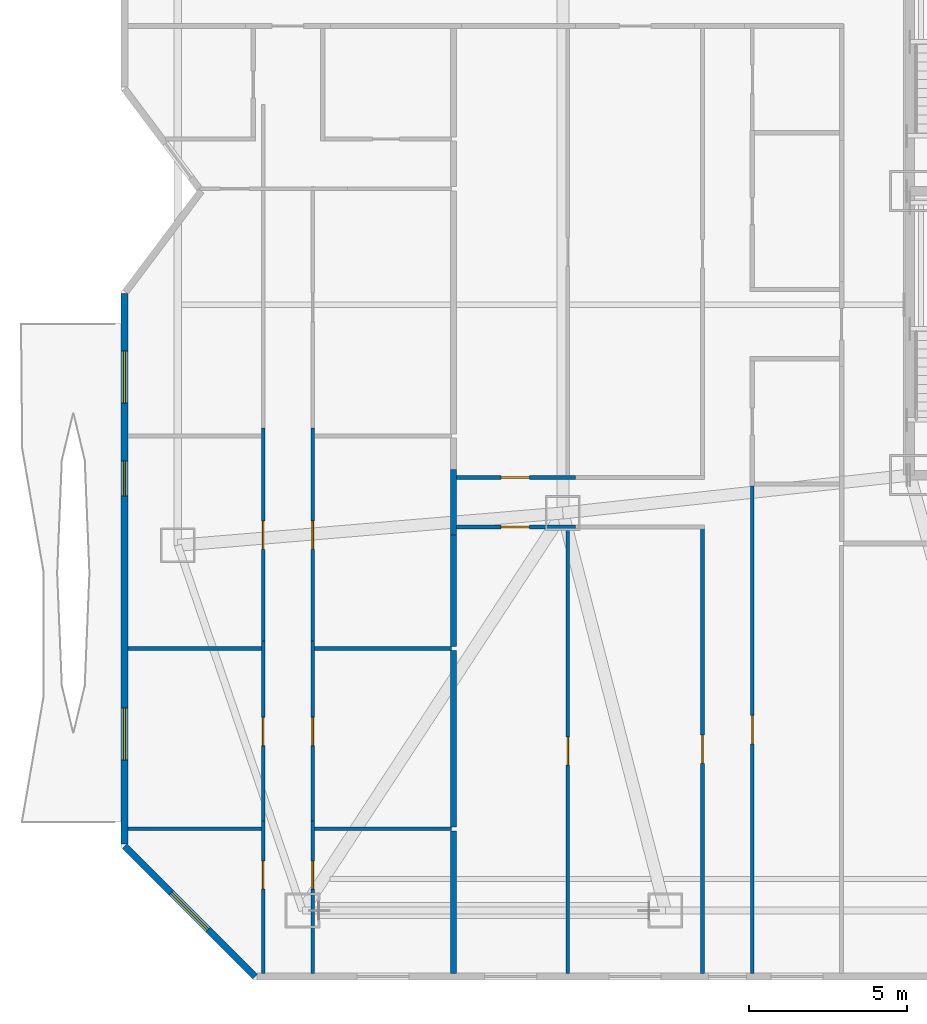
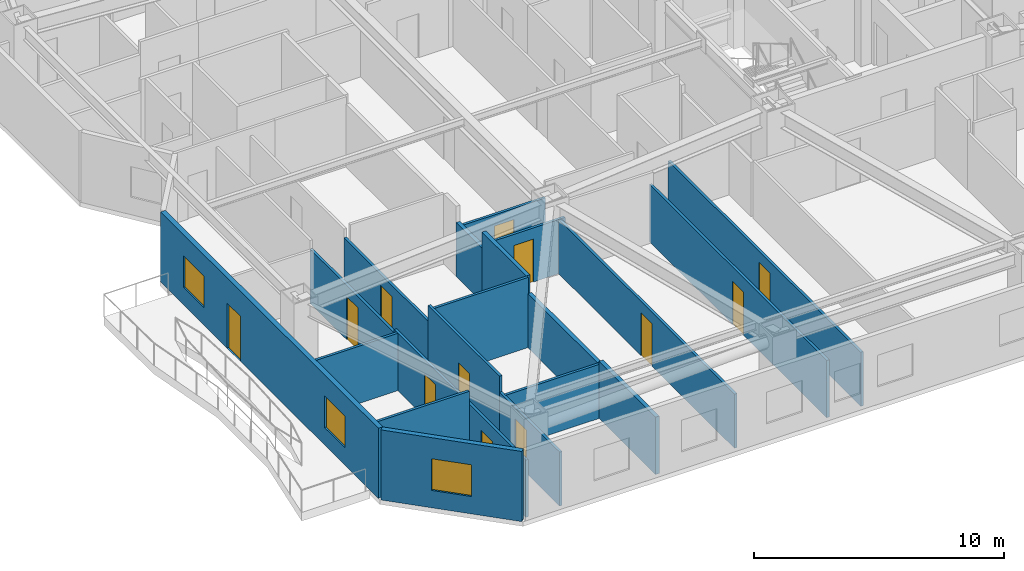
# One storey, part 7 of 16: 21 walls, 12 doors, 3 windows, 15 openings.
"""IFC4 building model written with IfcOpenShell, lengths in metres."""

from ifc_helpers import new_model, si_unit, direction, frame, frame_2d, origin, place, context, subcontext, project, spatial, rectangle, extrude, material, layer, layer_set, type_object, element, fill, save


model = new_model("IFC4")

# Units and contexts
model_context = context("Model", 3, precision=1e-05, world=origin(), true_north=direction((0.0, 1.0)))
body_context = subcontext(model_context, "Body", "Model", "MODEL_VIEW")
ifc_project = project(units=[si_unit("LENGTHUNIT", "METRE"), si_unit("AREAUNIT", "SQUARE_METRE"), si_unit("VOLUMEUNIT", "CUBIC_METRE"), si_unit("PLANEANGLEUNIT", "RADIAN"), si_unit("MASSUNIT", "GRAM", prefix="KILO")], contexts=[model_context])

# Site, building, storey
site_placement = place(None, origin())
site = spatial("IfcSite", under=ifc_project, at=site_placement, CompositionType="ELEMENT")
building_placement = place(site_placement, origin())
building = spatial("IfcBuilding", under=site, at=building_placement, Name="Khamvora Tower", CompositionType="ELEMENT")
storey_placement = place(building_placement, frame((0.0, 0.0, 66.14990234375)))
storey = spatial("IfcBuildingStorey", under=building, at=storey_placement, Name="L16", CompositionType="ELEMENT", Elevation=66.14990234375)

# Walls
ifc_material_1 = material(Name="Acoustic Double-Stud Fire Wall", Category="gypsum")
ifc_layer_1 = layer(ifc_material_1, 0.179931640625)
ifc_layer_set_1 = layer_set([ifc_layer_1], Name="Acoustic Double-Stud Fire Wall")
wall_type_1 = type_object("IfcWallType", Name="WAL-CORR-180", PredefinedType="STANDARD", material=ifc_layer_set_1)
wall_1_placement = place(storey_placement, frame((14.533935546875, 7.72509765625, 0.0), z_axis=(0.0, 0.0, 1.0), x_axis=(0.0, -1.0, 0.0)))
element("IfcWall", 1, at=wall_1_placement, inside=storey, type_object=wall_type_1, Name="L16 interior partition wall 070", PredefinedType="STANDARD", context=body_context, shape_type="SweptSolid", body=[
    extrude(rectangle(XDim=4.51318359375, YDim=0.179931640625, at=frame_2d((2.256591796875, 0.0))), origin(), (0.0, 0.0, 1.0), 2.802978515625),
])
wall_2_placement = place(storey_placement, frame((14.533935546875, 13.43603515625, 0.0), z_axis=(0.0, 0.0, 1.0), x_axis=(0.0, -1.0, 0.0)))
element("IfcWall", 2, at=wall_2_placement, inside=storey, type_object=wall_type_1, Name="L16 interior partition wall 072", PredefinedType="STANDARD", context=body_context, shape_type="SweptSolid", body=[
    extrude(rectangle(XDim=5.5810546875, YDim=0.179931640625, at=frame_2d((2.79052734375, 0.0))), origin(), (0.0, 0.0, 1.0), 2.647216796875),
])
wall_3_placement = place(storey_placement, frame((14.533935546875, 19.174072265625, 0.0), z_axis=(0.0, 0.0, 1.0), x_axis=(0.0, -1.0, 0.0)))
element("IfcWall", 3, at=wall_3_placement, inside=storey, type_object=wall_type_1, Name="L16 interior partition wall 074", PredefinedType="STANDARD", context=body_context, shape_type="SweptSolid", body=[
    extrude(rectangle(XDim=2.068115234375, YDim=0.179931640625, at=frame_2d((1.0341796875, 0.0))), origin(), (0.0, 0.0, 1.0), 2.647216796875),
])
wall_4_placement = place(storey_placement, frame((14.533935546875, 17.10595703125, 0.0), z_axis=(0.0, 0.0, 1.0), x_axis=(0.0, -1.0, 0.0)))
element("IfcWall", 4, at=wall_4_placement, inside=storey, type_object=wall_type_1, Name="L16 interior partition wall 075", PredefinedType="STANDARD", context=body_context, shape_type="SweptSolid", body=[
    extrude(rectangle(XDim=3.5400390625, YDim=0.179931640625, at=frame_2d((1.77001953125, 0.0))), origin(), (0.0, 0.0, 1.0), 3.43017578125),
])

# Wall, opening, window
ifc_material_2 = material(Name="Precast concrete C40/50", Category="concrete")
ifc_layer_2 = layer(ifc_material_2, 0.219970703125)
ifc_layer_set_2 = layer_set([ifc_layer_2], Name="Precast concrete C40/50")
wall_type_2 = type_object("IfcWallType", Name="WAL-EXT-220", PredefinedType="STANDARD", material=ifc_layer_set_2)
wall_5_placement = place(storey_placement, frame((8.24609375, 3.110107421875, 0.0), z_axis=(0.0, 0.0, 1.0), x_axis=(-0.707106781187, 0.707106781187, 0.0)))
wall_5 = element("IfcWall", 5, at=wall_5_placement, inside=storey, type_object=wall_type_2, Name="L16 exterior facade wall 01.1", PredefinedType="STANDARD", context=body_context, shape_type="SweptSolid", body=[
    extrude(rectangle(XDim=5.84912109375, YDim=0.219970703125, at=frame_2d((2.924560546875, 0.0))), origin(), (0.0, 0.0, 1.0), 3.43017578125),
])
opening_1_placement = place(wall_5_placement, frame((2.10009765625, 0.0, 0.85009765625)))
opening_1 = element("IfcOpeningElement", 6, at=opening_1_placement, cuts=wall_5, Name="Opening WN-06", PredefinedType="OPENING", context=body_context, shape_type="SweptSolid", body=[
    extrude(rectangle(XDim=1.64990234375, YDim=1.550048828125, at=frame_2d((0.824951171875, 0.77490234375))), frame((0.0, 0.119873046875, 0.0), z_axis=(0.0, -1.0, 0.0), x_axis=(1.0, 0.0, 0.0)), (0.0, 0.0, 1.0), 0.239990234375),
])
ifc_material_3 = material(Name="Low-E Laminated Double Glazing", Category="glass")
window_type = type_object("IfcWindowType", Name="WIN-VIS-1650x1550", PartitioningType="SINGLE_PANEL", PredefinedType="WINDOW", material=ifc_material_3)
window_1_placement = place(opening_1_placement, origin())
window_1 = element("IfcWindow", 7, at=window_1_placement, inside=storey, type_object=window_type, Name="L16 vision window 01.1.01", OverallHeight=1.550048828125, OverallWidth=1.64990234375, PartitioningType="SINGLE_PANEL", PredefinedType="WINDOW", context=body_context, shape_type="SweptSolid", body=[
    extrude(rectangle(XDim=1.64990234375, YDim=1.550048828125, at=frame_2d((0.824951171875, 0.77490234375))), frame((0.0, 0.030029296875, 0.0), z_axis=(0.0, -1.0, 0.0), x_axis=(1.0, 0.0, 0.0)), (0.0, 0.0, 1.0), 0.06005859375),
])
fill(opening_1, window_1)

# Wall, openings, door, windows
wall_6_placement = place(storey_placement, frame((4.110107421875, 7.31689453125, 0.0), z_axis=(0.0, 0.0, 1.0), x_axis=(0.0, 1.0, 0.0)))
wall_6 = element("IfcWall", 8, at=wall_6_placement, inside=storey, type_object=wall_type_2, Name="L16 exterior facade wall 02.1", PredefinedType="STANDARD", context=body_context, shape_type="SweptSolid", body=[
    extrude(rectangle(XDim=17.446044921875, YDim=0.219970703125, at=frame_2d((8.72314453125, 0.0))), origin(), (0.0, 0.0, 1.0), 3.43017578125),
])
opening_2_placement = place(wall_6_placement, frame((11.027099609375, 0.0, 0.0)))
opening_2 = element("IfcOpeningElement", 9, at=opening_2_placement, cuts=wall_6, Name="Opening BD-01", PredefinedType="OPENING", context=body_context, shape_type="SweptSolid", body=[
    extrude(rectangle(XDim=1.10009765625, YDim=2.199951171875, at=frame_2d((0.550048828125, 1.10009765625))), frame((0.0, 0.119873046875, 0.0), z_axis=(0.0, -1.0, 0.0), x_axis=(1.0, 0.0, 0.0)), (0.0, 0.0, 1.0), 0.239990234375),
])
opening_3_placement = place(wall_6_placement, frame((2.658935546875, 0.0, 0.85009765625)))
opening_3 = element("IfcOpeningElement", 10, at=opening_3_placement, cuts=wall_6, Name="Opening WN-06", PredefinedType="OPENING", context=body_context, shape_type="SweptSolid", body=[
    extrude(rectangle(XDim=1.64990234375, YDim=1.550048828125, at=frame_2d((0.824951171875, 0.77490234375))), frame((0.0, 0.119873046875, 0.0), z_axis=(0.0, -1.0, 0.0), x_axis=(1.0, 0.0, 0.0)), (0.0, 0.0, 1.0), 0.239990234375),
])
opening_4_placement = place(wall_6_placement, frame((13.967041015625, 0.0, 0.85009765625)))
opening_4 = element("IfcOpeningElement", 11, at=opening_4_placement, cuts=wall_6, Name="Opening WN-06", PredefinedType="OPENING", context=body_context, shape_type="SweptSolid", body=[
    extrude(rectangle(XDim=1.64990234375, YDim=1.550048828125, at=frame_2d((0.824951171875, 0.77490234375))), frame((0.0, 0.119873046875, 0.0), z_axis=(0.0, -1.0, 0.0), x_axis=(1.0, 0.0, 0.0)), (0.0, 0.0, 1.0), 0.239990234375),
])
ifc_material_4 = material(Name="Anodised Aluminium and Laminated Safety Glass", Category="aluminium")
door_type_1 = type_object("IfcDoorType", Name="DOR-BAL-1100", OperationType="NOTDEFINED", PredefinedType="DOOR", material=ifc_material_4)
door_1_placement = place(opening_2_placement, origin())
door_1 = element("IfcDoor", 12, at=door_1_placement, inside=storey, type_object=door_type_1, Name="L16 lens gallery balcony door WL1", OperationType="SLIDING_TO_LEFT", OverallHeight=2.199951171875, OverallWidth=1.10009765625, PredefinedType="DOOR", context=body_context, shape_type="SweptSolid", body=[
    extrude(rectangle(XDim=1.10009765625, YDim=2.199951171875, at=frame_2d((0.550048828125, 1.10009765625))), frame((0.0, 0.02490234375, 0.0), z_axis=(0.0, -1.0, 0.0), x_axis=(1.0, 0.0, 0.0)), (0.0, 0.0, 1.0), 0.050048828125),
])
fill(opening_2, door_1)
window_2_placement = place(opening_3_placement, origin())
window_2 = element("IfcWindow", 13, at=window_2_placement, inside=storey, type_object=window_type, Name="L16 vision window 02.1.01", OverallHeight=1.550048828125, OverallWidth=1.64990234375, PartitioningType="SINGLE_PANEL", PredefinedType="WINDOW", context=body_context, shape_type="SweptSolid", body=[
    extrude(rectangle(XDim=1.64990234375, YDim=1.550048828125, at=frame_2d((0.824951171875, 0.77490234375))), frame((0.0, 0.030029296875, 0.0), z_axis=(0.0, -1.0, 0.0), x_axis=(1.0, 0.0, 0.0)), (0.0, 0.0, 1.0), 0.06005859375),
])
fill(opening_3, window_2)
window_3_placement = place(opening_4_placement, origin())
window_3 = element("IfcWindow", 14, at=window_3_placement, inside=storey, type_object=window_type, Name="L16 vision window 02.1.02", OverallHeight=1.550048828125, OverallWidth=1.64990234375, PartitioningType="SINGLE_PANEL", PredefinedType="WINDOW", context=body_context, shape_type="SweptSolid", body=[
    extrude(rectangle(XDim=1.64990234375, YDim=1.550048828125, at=frame_2d((0.824951171875, 0.77490234375))), frame((0.0, 0.030029296875, 0.0), z_axis=(0.0, -1.0, 0.0), x_axis=(1.0, 0.0, 0.0)), (0.0, 0.0, 1.0), 0.06005859375),
])
fill(opening_4, window_3)

# Wall, opening, door
ifc_material_5 = material(Name="Gypsum Plasterboard Partition", Category="gypsum")
ifc_layer_3 = layer(ifc_material_5, 0.1201171875)
ifc_layer_set_3 = layer_set([ifc_layer_3], Name="Gypsum Plasterboard Partition")
wall_type_3 = type_object("IfcWallType", Name="WAL-PART-120", PredefinedType="PARTITIONING", material=ifc_layer_set_3)
wall_7_placement = place(storey_placement, frame((8.50390625, 3.2119140625, 0.0), z_axis=(0.0, 0.0, 1.0), x_axis=(0.0, 1.0, 0.0)))
wall_7 = element("IfcWall", 15, at=wall_7_placement, inside=storey, type_object=wall_type_3, Name="L16 interior partition wall 054", PredefinedType="PARTITIONING", context=body_context, shape_type="SweptSolid", body=[
    extrude(rectangle(XDim=4.828125, YDim=0.1201171875, at=frame_2d((2.4140625, 0.0))), origin(), (0.0, 0.0, 1.0), 2.802978515625),
])
opening_5_placement = place(wall_7_placement, frame((2.6650390625, 0.0, 0.0)))
opening_5 = element("IfcOpeningElement", 16, at=opening_5_placement, cuts=wall_7, Name="Opening D-RM1", PredefinedType="OPENING", context=body_context, shape_type="SweptSolid", body=[
    extrude(rectangle(XDim=0.89990234375, YDim=2.10009765625, at=frame_2d((0.449951171875, 1.050048828125))), frame((0.0, 0.070068359375, 0.0), z_axis=(0.0, -1.0, 0.0), x_axis=(1.0, 0.0, 0.0)), (0.0, 0.0, 1.0), 0.14013671875),
])
ifc_material_6 = material(Name="Powder-Coated Steel and Hardwood Leaf", Category="steel")
door_type_2 = type_object("IfcDoorType", Name="DOR-ROOM-900", OperationType="NOTDEFINED", PredefinedType="DOOR", material=ifc_material_6)
door_2_placement = place(opening_5_placement, origin())
door_2 = element("IfcDoor", 17, at=door_2_placement, inside=storey, type_object=door_type_2, Name="L16 interior door 16WA1H-16WA1L", OperationType="SINGLE_SWING_RIGHT", OverallHeight=2.10009765625, OverallWidth=0.89990234375, PredefinedType="DOOR", context=body_context, shape_type="SweptSolid", body=[
    extrude(rectangle(XDim=0.89990234375, YDim=2.10009765625, at=frame_2d((0.449951171875, 1.050048828125))), frame((0.0, 0.02490234375, 0.0), z_axis=(0.0, -1.0, 0.0), x_axis=(1.0, 0.0, 0.0)), (0.0, 0.0, 1.0), 0.050048828125),
])
fill(opening_5, door_2)

wall_8_placement = place(storey_placement, frame((8.50390625, 8.0400390625, 0.0), z_axis=(0.0, 0.0, 1.0), x_axis=(0.0, 1.0, 0.0)))
wall_8 = element("IfcWall", 18, at=wall_8_placement, inside=storey, type_object=wall_type_3, Name="L16 interior partition wall 055", PredefinedType="PARTITIONING", context=body_context, shape_type="SweptSolid", body=[
    extrude(rectangle(XDim=5.7099609375, YDim=0.1201171875, at=frame_2d((2.85498046875, 0.0))), origin(), (0.0, 0.0, 1.0), 2.802978515625),
])
opening_6_placement = place(wall_8_placement, frame((2.384033203125, 0.0, 0.0)))
opening_6 = element("IfcOpeningElement", 19, at=opening_6_placement, cuts=wall_8, Name="Opening D-RM1", PredefinedType="OPENING", context=body_context, shape_type="SweptSolid", body=[
    extrude(rectangle(XDim=0.89990234375, YDim=2.10009765625, at=frame_2d((0.449951171875, 1.050048828125))), frame((0.0, 0.070068359375, 0.0), z_axis=(0.0, -1.0, 0.0), x_axis=(1.0, 0.0, 0.0)), (0.0, 0.0, 1.0), 0.14013671875),
])
door_3_placement = place(opening_6_placement, origin())
door_3 = element("IfcDoor", 20, at=door_3_placement, inside=storey, type_object=door_type_2, Name="L16 interior door 16WA1H-16WA1R2", OperationType="SINGLE_SWING_RIGHT", OverallHeight=2.10009765625, OverallWidth=0.89990234375, PredefinedType="DOOR", context=body_context, shape_type="SweptSolid", body=[
    extrude(rectangle(XDim=0.89990234375, YDim=2.10009765625, at=frame_2d((0.449951171875, 1.050048828125))), frame((0.0, 0.02490234375, 0.0), z_axis=(0.0, -1.0, 0.0), x_axis=(1.0, 0.0, 0.0)), (0.0, 0.0, 1.0), 0.050048828125),
])
fill(opening_6, door_3)

wall_9_placement = place(storey_placement, frame((8.50390625, 13.75, 0.0), z_axis=(0.0, 0.0, 1.0), x_axis=(0.0, 1.0, 0.0)))
wall_9 = element("IfcWall", 21, at=wall_9_placement, inside=storey, type_object=wall_type_3, Name="L16 interior partition wall 056", PredefinedType="PARTITIONING", context=body_context, shape_type="SweptSolid", body=[
    extrude(rectangle(XDim=6.739990234375, YDim=0.1201171875, at=frame_2d((3.3701171875, 0.0))), origin(), (0.0, 0.0, 1.0), 2.647216796875),
])
opening_7_placement = place(wall_9_placement, frame((2.89892578125, 0.0, 0.0)))
opening_7 = element("IfcOpeningElement", 22, at=opening_7_placement, cuts=wall_9, Name="Opening D-RM1", PredefinedType="OPENING", context=body_context, shape_type="SweptSolid", body=[
    extrude(rectangle(XDim=0.89990234375, YDim=2.10009765625, at=frame_2d((0.449951171875, 1.050048828125))), frame((0.0, 0.070068359375, 0.0), z_axis=(0.0, -1.0, 0.0), x_axis=(1.0, 0.0, 0.0)), (0.0, 0.0, 1.0), 0.14013671875),
])
door_4_placement = place(opening_7_placement, origin())
door_4 = element("IfcDoor", 23, at=door_4_placement, inside=storey, type_object=door_type_2, Name="L16 interior door 16WA1H-16WA1R3", OperationType="SINGLE_SWING_LEFT", OverallHeight=2.10009765625, OverallWidth=0.89990234375, PredefinedType="DOOR", context=body_context, shape_type="SweptSolid", body=[
    extrude(rectangle(XDim=0.89990234375, YDim=2.10009765625, at=frame_2d((0.449951171875, 1.050048828125))), frame((0.0, 0.02490234375, 0.0), z_axis=(0.0, -1.0, 0.0), x_axis=(1.0, 0.0, 0.0)), (0.0, 0.0, 1.0), 0.050048828125),
])
fill(opening_7, door_4)

wall_10_placement = place(storey_placement, frame((10.073974609375, 8.0400390625, 0.0), z_axis=(0.0, 0.0, 1.0), x_axis=(0.0, -1.0, 0.0)))
wall_10 = element("IfcWall", 24, at=wall_10_placement, inside=storey, type_object=wall_type_3, Name="L16 interior partition wall 059", PredefinedType="PARTITIONING", context=body_context, shape_type="SweptSolid", body=[
    extrude(rectangle(XDim=4.828125, YDim=0.1201171875, at=frame_2d((2.4140625, 0.0))), origin(), (0.0, 0.0, 1.0), 2.647216796875),
])
opening_8_placement = place(wall_10_placement, frame((1.263916015625, 0.0, 0.0)))
opening_8 = element("IfcOpeningElement", 25, at=opening_8_placement, cuts=wall_10, Name="Opening D-RM1", PredefinedType="OPENING", context=body_context, shape_type="SweptSolid", body=[
    extrude(rectangle(XDim=0.89990234375, YDim=2.10009765625, at=frame_2d((0.449951171875, 1.050048828125))), frame((0.0, 0.070068359375, 0.0), z_axis=(0.0, -1.0, 0.0), x_axis=(1.0, 0.0, 0.0)), (0.0, 0.0, 1.0), 0.14013671875),
])
door_5_placement = place(opening_8_placement, origin())
door_5 = element("IfcDoor", 26, at=door_5_placement, inside=storey, type_object=door_type_2, Name="L16 interior door 16WA1H-16WA1R5", OperationType="SINGLE_SWING_LEFT", OverallHeight=2.10009765625, OverallWidth=0.89990234375, PredefinedType="DOOR", context=body_context, shape_type="SweptSolid", body=[
    extrude(rectangle(XDim=0.89990234375, YDim=2.10009765625, at=frame_2d((0.449951171875, 1.050048828125))), frame((0.0, 0.02490234375, 0.0), z_axis=(0.0, -1.0, 0.0), x_axis=(1.0, 0.0, 0.0)), (0.0, 0.0, 1.0), 0.050048828125),
])
fill(opening_8, door_5)

wall_11_placement = place(storey_placement, frame((10.073974609375, 13.75, 0.0), z_axis=(0.0, 0.0, 1.0), x_axis=(0.0, -1.0, 0.0)))
wall_11 = element("IfcWall", 27, at=wall_11_placement, inside=storey, type_object=wall_type_3, Name="L16 interior partition wall 060", PredefinedType="PARTITIONING", context=body_context, shape_type="SweptSolid", body=[
    extrude(rectangle(XDim=5.7099609375, YDim=0.1201171875, at=frame_2d((2.85498046875, 0.0))), origin(), (0.0, 0.0, 1.0), 3.43017578125),
])
opening_9_placement = place(wall_11_placement, frame((2.426025390625, 0.0, 0.0)))
opening_9 = element("IfcOpeningElement", 28, at=opening_9_placement, cuts=wall_11, Name="Opening D-RM1", PredefinedType="OPENING", context=body_context, shape_type="SweptSolid", body=[
    extrude(rectangle(XDim=0.89990234375, YDim=2.10009765625, at=frame_2d((0.449951171875, 1.050048828125))), frame((0.0, 0.070068359375, 0.0), z_axis=(0.0, -1.0, 0.0), x_axis=(1.0, 0.0, 0.0)), (0.0, 0.0, 1.0), 0.14013671875),
])
door_6_placement = place(opening_9_placement, origin())
door_6 = element("IfcDoor", 29, at=door_6_placement, inside=storey, type_object=door_type_2, Name="L16 interior door 16WA1H-16WA1R6", OperationType="SINGLE_SWING_LEFT", OverallHeight=2.10009765625, OverallWidth=0.89990234375, PredefinedType="DOOR", context=body_context, shape_type="SweptSolid", body=[
    extrude(rectangle(XDim=0.89990234375, YDim=2.10009765625, at=frame_2d((0.449951171875, 1.050048828125))), frame((0.0, 0.02490234375, 0.0), z_axis=(0.0, -1.0, 0.0), x_axis=(1.0, 0.0, 0.0)), (0.0, 0.0, 1.0), 0.050048828125),
])
fill(opening_9, door_6)

wall_12_placement = place(storey_placement, frame((10.073974609375, 20.489990234375, 0.0), z_axis=(0.0, 0.0, 1.0), x_axis=(0.0, -1.0, 0.0)))
wall_12 = element("IfcWall", 30, at=wall_12_placement, inside=storey, type_object=wall_type_3, Name="L16 interior partition wall 061", PredefinedType="PARTITIONING", context=body_context, shape_type="SweptSolid", body=[
    extrude(rectangle(XDim=6.739990234375, YDim=0.1201171875, at=frame_2d((3.3701171875, 0.0))), origin(), (0.0, 0.0, 1.0), 2.647216796875),
])
opening_10_placement = place(wall_12_placement, frame((2.94189453125, 0.0, 0.0)))
opening_10 = element("IfcOpeningElement", 31, at=opening_10_placement, cuts=wall_12, Name="Opening D-RM1", PredefinedType="OPENING", context=body_context, shape_type="SweptSolid", body=[
    extrude(rectangle(XDim=0.89990234375, YDim=2.10009765625, at=frame_2d((0.449951171875, 1.050048828125))), frame((0.0, 0.070068359375, 0.0), z_axis=(0.0, -1.0, 0.0), x_axis=(1.0, 0.0, 0.0)), (0.0, 0.0, 1.0), 0.14013671875),
])
door_7_placement = place(opening_10_placement, origin())
door_7 = element("IfcDoor", 32, at=door_7_placement, inside=storey, type_object=door_type_2, Name="L16 interior door 16WA1H-16WA1R7", OperationType="SINGLE_SWING_RIGHT", OverallHeight=2.10009765625, OverallWidth=0.89990234375, PredefinedType="DOOR", context=body_context, shape_type="SweptSolid", body=[
    extrude(rectangle(XDim=0.89990234375, YDim=2.10009765625, at=frame_2d((0.449951171875, 1.050048828125))), frame((0.0, 0.02490234375, 0.0), z_axis=(0.0, -1.0, 0.0), x_axis=(1.0, 0.0, 0.0)), (0.0, 0.0, 1.0), 0.050048828125),
])
fill(opening_10, door_7)

# Walls
wall_13_placement = place(storey_placement, frame((4.2119140625, 7.7900390625, 0.0), z_axis=(0.0, 0.0, 1.0), x_axis=(1.0, 0.0, 0.0)))
element("IfcWall", 33, at=wall_13_placement, inside=storey, type_object=wall_type_3, Name="L16 interior partition wall 066", PredefinedType="PARTITIONING", context=body_context, shape_type="SweptSolid", body=[
    extrude(rectangle(XDim=4.238037109375, YDim=0.1201171875, at=frame_2d((2.119140625, 0.0))), origin(), (0.0, 0.0, 1.0), 3.43017578125),
])
wall_14_placement = place(storey_placement, frame((4.2119140625, 13.5009765625, 0.0), z_axis=(0.0, 0.0, 1.0), x_axis=(1.0, 0.0, 0.0)))
element("IfcWall", 34, at=wall_14_placement, inside=storey, type_object=wall_type_3, Name="L16 interior partition wall 067", PredefinedType="PARTITIONING", context=body_context, shape_type="SweptSolid", body=[
    extrude(rectangle(XDim=4.238037109375, YDim=0.1201171875, at=frame_2d((2.119140625, 0.0))), origin(), (0.0, 0.0, 1.0), 2.802978515625),
])
wall_15_placement = place(storey_placement, frame((10.1279296875, 7.7900390625, 0.0), z_axis=(0.0, 0.0, 1.0), x_axis=(1.0, 0.0, 0.0)))
element("IfcWall", 35, at=wall_15_placement, inside=storey, type_object=wall_type_3, Name="L16 interior partition wall 069", PredefinedType="PARTITIONING", context=body_context, shape_type="SweptSolid", body=[
    extrude(rectangle(XDim=4.341064453125, YDim=0.1201171875, at=frame_2d((2.17041015625, 0.0))), origin(), (0.0, 0.0, 1.0), 2.647216796875),
])
wall_16_placement = place(storey_placement, frame((10.1279296875, 13.5009765625, 0.0), z_axis=(0.0, 0.0, 1.0), x_axis=(1.0, 0.0, 0.0)))
element("IfcWall", 36, at=wall_16_placement, inside=storey, type_object=wall_type_3, Name="L16 interior partition wall 071", PredefinedType="PARTITIONING", context=body_context, shape_type="SweptSolid", body=[
    extrude(rectangle(XDim=4.341064453125, YDim=0.1201171875, at=frame_2d((2.17041015625, 0.0))), origin(), (0.0, 0.0, 1.0), 3.43017578125),
])

# Wall, opening, door
wall_17_placement = place(storey_placement, frame((24.00390625, 3.2119140625, 0.0), z_axis=(0.0, 0.0, 1.0), x_axis=(0.0, 1.0, 0.0)))
wall_17 = element("IfcWall", 37, at=wall_17_placement, inside=storey, type_object=wall_type_3, Name="L16 interior partition wall 078", PredefinedType="PARTITIONING", context=body_context, shape_type="SweptSolid", body=[
    extrude(rectangle(XDim=15.442138671875, YDim=0.1201171875, at=frame_2d((7.72119140625, 0.0))), origin(), (0.0, 0.0, 1.0), 2.647216796875),
])
opening_11_placement = place(wall_17_placement, frame((7.27099609375, 0.0, 0.0)))
opening_11 = element("IfcOpeningElement", 38, at=opening_11_placement, cuts=wall_17, Name="Opening D-RM1", PredefinedType="OPENING", context=body_context, shape_type="SweptSolid", body=[
    extrude(rectangle(XDim=0.89990234375, YDim=2.10009765625, at=frame_2d((0.449951171875, 1.050048828125))), frame((0.0, 0.070068359375, 0.0), z_axis=(0.0, -1.0, 0.0), x_axis=(1.0, 0.0, 0.0)), (0.0, 0.0, 1.0), 0.14013671875),
])
door_8_placement = place(opening_11_placement, origin())
door_8 = element("IfcDoor", 39, at=door_8_placement, inside=storey, type_object=door_type_2, Name="L16 interior door 16WA2W1-16WA2H", OperationType="SINGLE_SWING_RIGHT", OverallHeight=2.10009765625, OverallWidth=0.89990234375, PredefinedType="DOOR", context=body_context, shape_type="SweptSolid", body=[
    extrude(rectangle(XDim=0.89990234375, YDim=2.10009765625, at=frame_2d((0.449951171875, 1.050048828125))), frame((0.0, 0.02490234375, 0.0), z_axis=(0.0, -1.0, 0.0), x_axis=(1.0, 0.0, 0.0)), (0.0, 0.0, 1.0), 0.050048828125),
])
fill(opening_11, door_8)

wall_18_placement = place(storey_placement, frame((18.406982421875, 17.35498046875, 0.0), z_axis=(0.0, 0.0, 1.0), x_axis=(-1.0, 0.0, 0.0)))
wall_18 = element("IfcWall", 40, at=wall_18_placement, inside=storey, type_object=wall_type_3, Name="L16 interior partition wall 086", PredefinedType="PARTITIONING", context=body_context, shape_type="SweptSolid", body=[
    extrude(rectangle(XDim=3.791015625, YDim=0.1201171875, at=frame_2d((1.8955078125, 0.0))), origin(), (0.0, 0.0, 1.0), 2.647216796875),
])
opening_12_placement = place(wall_18_placement, frame((1.466064453125, 0.0, 0.0)))
opening_12 = element("IfcOpeningElement", 41, at=opening_12_placement, cuts=wall_18, Name="Opening D-RM1", PredefinedType="OPENING", context=body_context, shape_type="SweptSolid", body=[
    extrude(rectangle(XDim=0.89990234375, YDim=2.10009765625, at=frame_2d((0.449951171875, 1.050048828125))), frame((0.0, 0.070068359375, 0.0), z_axis=(0.0, -1.0, 0.0), x_axis=(1.0, 0.0, 0.0)), (0.0, 0.0, 1.0), 0.14013671875),
])
door_9_placement = place(opening_12_placement, origin())
door_9 = element("IfcDoor", 42, at=door_9_placement, inside=storey, type_object=door_type_2, Name="L16 interior door 16WA2H-16WA2R1", OperationType="SINGLE_SWING_RIGHT", OverallHeight=2.10009765625, OverallWidth=0.89990234375, PredefinedType="DOOR", context=body_context, shape_type="SweptSolid", body=[
    extrude(rectangle(XDim=0.89990234375, YDim=2.10009765625, at=frame_2d((0.449951171875, 1.050048828125))), frame((0.0, 0.02490234375, 0.0), z_axis=(0.0, -1.0, 0.0), x_axis=(1.0, 0.0, 0.0)), (0.0, 0.0, 1.0), 0.050048828125),
])
fill(opening_12, door_9)

wall_19_placement = place(storey_placement, frame((22.424072265625, 3.2119140625, 0.0), z_axis=(0.0, 0.0, 1.0), x_axis=(0.0, 1.0, 0.0)))
wall_19 = element("IfcWall", 43, at=wall_19_placement, inside=storey, type_object=wall_type_3, Name="L16 interior partition wall 087", PredefinedType="PARTITIONING", context=body_context, shape_type="SweptSolid", body=[
    extrude(rectangle(XDim=14.2080078125, YDim=0.1201171875, at=frame_2d((7.10400390625, 0.0))), origin(), (0.0, 0.0, 1.0), 2.802978515625),
])
opening_13_placement = place(wall_19_placement, frame((6.654052734375, 0.0, 0.0)))
opening_13 = element("IfcOpeningElement", 44, at=opening_13_placement, cuts=wall_19, Name="Opening D-RM1", PredefinedType="OPENING", context=body_context, shape_type="SweptSolid", body=[
    extrude(rectangle(XDim=0.89990234375, YDim=2.10009765625, at=frame_2d((0.449951171875, 1.050048828125))), frame((0.0, 0.070068359375, 0.0), z_axis=(0.0, -1.0, 0.0), x_axis=(1.0, 0.0, 0.0)), (0.0, 0.0, 1.0), 0.14013671875),
])
door_10_placement = place(opening_13_placement, origin())
door_10 = element("IfcDoor", 45, at=door_10_placement, inside=storey, type_object=door_type_2, Name="L16 interior door 16WA2H-16WA2R2", OperationType="SINGLE_SWING_LEFT", OverallHeight=2.10009765625, OverallWidth=0.89990234375, PredefinedType="DOOR", context=body_context, shape_type="SweptSolid", body=[
    extrude(rectangle(XDim=0.89990234375, YDim=2.10009765625, at=frame_2d((0.449951171875, 1.050048828125))), frame((0.0, 0.02490234375, 0.0), z_axis=(0.0, -1.0, 0.0), x_axis=(1.0, 0.0, 0.0)), (0.0, 0.0, 1.0), 0.050048828125),
])
fill(opening_13, door_10)

wall_20_placement = place(storey_placement, frame((14.615966796875, 18.925048828125, 0.0), z_axis=(0.0, 0.0, 1.0), x_axis=(1.0, 0.0, 0.0)))
wall_20 = element("IfcWall", 46, at=wall_20_placement, inside=storey, type_object=wall_type_3, Name="L16 interior partition wall 089", PredefinedType="PARTITIONING", context=body_context, shape_type="SweptSolid", body=[
    extrude(rectangle(XDim=3.791015625, YDim=0.1201171875, at=frame_2d((1.8955078125, 0.0))), origin(), (0.0, 0.0, 1.0), 2.647216796875),
])
opening_14_placement = place(wall_20_placement, frame((1.425048828125, 0.0, 0.0)))
opening_14 = element("IfcOpeningElement", 47, at=opening_14_placement, cuts=wall_20, Name="Opening D-RM1", PredefinedType="OPENING", context=body_context, shape_type="SweptSolid", body=[
    extrude(rectangle(XDim=0.89990234375, YDim=2.10009765625, at=frame_2d((0.449951171875, 1.050048828125))), frame((0.0, 0.070068359375, 0.0), z_axis=(0.0, -1.0, 0.0), x_axis=(1.0, 0.0, 0.0)), (0.0, 0.0, 1.0), 0.14013671875),
])
door_11_placement = place(opening_14_placement, origin())
door_11 = element("IfcDoor", 48, at=door_11_placement, inside=storey, type_object=door_type_2, Name="L16 interior door 16WA2H-16WA2R3", OperationType="SINGLE_SWING_LEFT", OverallHeight=2.10009765625, OverallWidth=0.89990234375, PredefinedType="DOOR", context=body_context, shape_type="SweptSolid", body=[
    extrude(rectangle(XDim=0.89990234375, YDim=2.10009765625, at=frame_2d((0.449951171875, 1.050048828125))), frame((0.0, 0.02490234375, 0.0), z_axis=(0.0, -1.0, 0.0), x_axis=(1.0, 0.0, 0.0)), (0.0, 0.0, 1.0), 0.050048828125),
])
fill(opening_14, door_11)

wall_21_placement = place(storey_placement, frame((18.157958984375, 17.301025390625, 0.0), z_axis=(0.0, 0.0, 1.0), x_axis=(0.0, -1.0, 0.0)))
wall_21 = element("IfcWall", 49, at=wall_21_placement, inside=storey, type_object=wall_type_3, Name="L16 interior partition wall 092", PredefinedType="PARTITIONING", context=body_context, shape_type="SweptSolid", body=[
    extrude(rectangle(XDim=14.089111328125, YDim=0.1201171875, at=frame_2d((7.04443359375, 0.0))), origin(), (0.0, 0.0, 1.0), 2.647216796875),
])
opening_15_placement = place(wall_21_placement, frame((6.594970703125, 0.0, 0.0)))
opening_15 = element("IfcOpeningElement", 50, at=opening_15_placement, cuts=wall_21, Name="Opening D-RM1", PredefinedType="OPENING", context=body_context, shape_type="SweptSolid", body=[
    extrude(rectangle(XDim=0.89990234375, YDim=2.10009765625, at=frame_2d((0.449951171875, 1.050048828125))), frame((0.0, 0.070068359375, 0.0), z_axis=(0.0, -1.0, 0.0), x_axis=(1.0, 0.0, 0.0)), (0.0, 0.0, 1.0), 0.14013671875),
])
door_12_placement = place(opening_15_placement, origin())
door_12 = element("IfcDoor", 51, at=door_12_placement, inside=storey, type_object=door_type_2, Name="L16 interior door 16WA2R1-16WA2R2", OperationType="SINGLE_SWING_RIGHT", OverallHeight=2.10009765625, OverallWidth=0.89990234375, PredefinedType="DOOR", context=body_context, shape_type="SweptSolid", body=[
    extrude(rectangle(XDim=0.89990234375, YDim=2.10009765625, at=frame_2d((0.449951171875, 1.050048828125))), frame((0.0, 0.02490234375, 0.0), z_axis=(0.0, -1.0, 0.0), x_axis=(1.0, 0.0, 0.0)), (0.0, 0.0, 1.0), 0.050048828125),
])
fill(opening_15, door_12)

save(model, "model.ifc")
